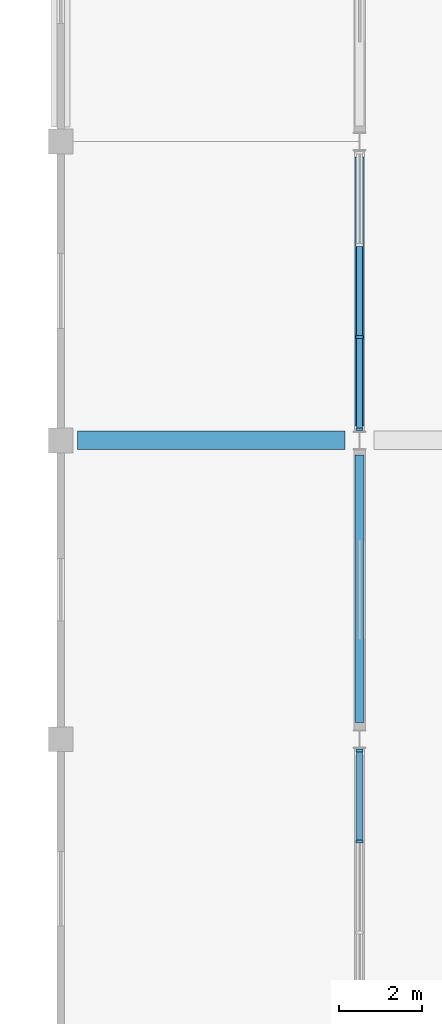
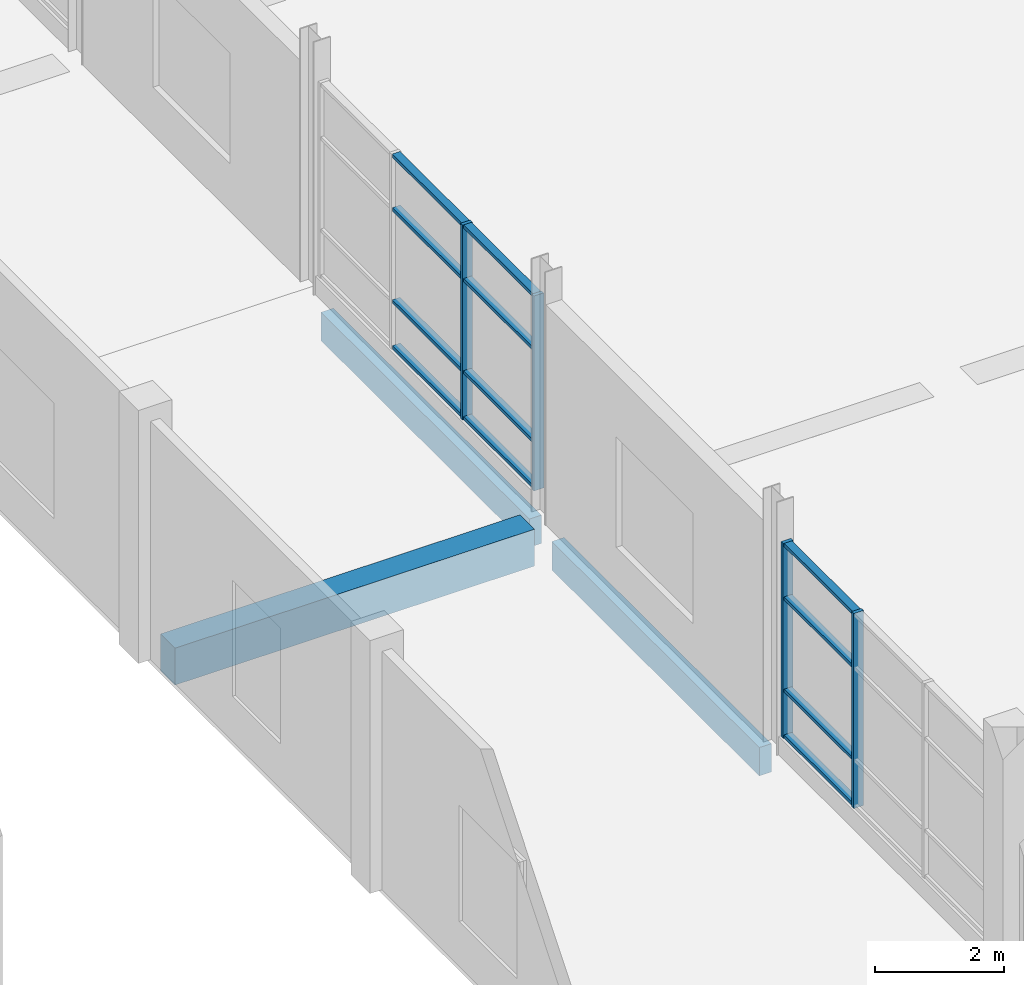
# One storey, part 24 of 82: 16 members, 3 beams, 2 elements without a shape of their own.
"""IFC4 building model written with IfcOpenShell, lengths in metres."""

from ifc_helpers import new_model, si_unit, direction, frame, origin, origin_2d, place, context, subcontext, project, spatial, rectangle, extrude, material, material_profile, profile_set, type_object, element, aggregate, save


model = new_model("IFC4")

# Units and contexts
model_context = context("Model", 3, precision=1e-05, world=origin(), true_north=direction((0.0, 1.0)))
body_context = subcontext(model_context, "Body", "Model", "MODEL_VIEW")
ifc_project = project(units=[si_unit("LENGTHUNIT", "METRE"), si_unit("AREAUNIT", "SQUARE_METRE"), si_unit("VOLUMEUNIT", "CUBIC_METRE"), si_unit("PLANEANGLEUNIT", "RADIAN"), si_unit("MASSUNIT", "GRAM", prefix="KILO")], contexts=[model_context])

# Site, building, storey
site_placement = place(None, origin())
site = spatial("IfcSite", under=ifc_project, at=site_placement, CompositionType="ELEMENT")
building_placement = place(site_placement, origin())
building = spatial("IfcBuilding", under=site, at=building_placement, Name="Sardonyx Promenade Sports Hall", CompositionType="ELEMENT")
storey_placement = place(building_placement, frame((0.0, 0.0, 11.199951171875)))
storey = spatial("IfcBuildingStorey", under=building, at=storey_placement, Name="L02", CompositionType="ELEMENT", Elevation=11.199951171875)

# Beams
ifc_material_1 = material(Name="Glulam GL28h", Category="wood")
ifc_material_profile_1 = material_profile(ifc_material_1, rectangle(XDim=0.219970703125, YDim=0.5400390625, at=origin_2d()))
ifc_profile_set_1 = profile_set([ifc_material_profile_1], Name="Glulam GL28h")
beam_type_1 = type_object("IfcBeamType", Name="Bm_Gallery_GL540", PredefinedType="BEAM", material=ifc_profile_set_1)
beam_1_placement = place(storey_placement, frame((28.800048828125, 36.39990234375, -0.510009765625), z_axis=(0.0, 1.0, 0.0), x_axis=(-1.0, 0.0, 0.0)))
element("IfcBeam", 1, at=beam_1_placement, inside=storey, type_object=beam_type_1, Name="Beam GLB2 L02 #584", PredefinedType="BEAM", context=body_context, shape_type="SweptSolid", body=[
    extrude(rectangle(XDim=0.219970703125, YDim=0.5400390625, at=origin_2d()), origin(), (0.0, 0.0, 1.0), 6.4501953125),
])
beam_2_placement = place(storey_placement, frame((28.800048828125, 43.550048828125, -0.510009765625), z_axis=(0.0, 1.0, 0.0), x_axis=(-1.0, 0.0, 0.0)))
element("IfcBeam", 2, at=beam_2_placement, inside=storey, type_object=beam_type_1, Name="Beam GLB2 L02 #585", PredefinedType="BEAM", context=body_context, shape_type="SweptSolid", body=[
    extrude(rectangle(XDim=0.219970703125, YDim=0.5400390625, at=origin_2d()), origin(), (0.0, 0.0, 1.0), 6.474853515625),
])
ifc_material_2 = material(Name="Concrete C40/50", Category="concrete")
ifc_material_profile_2 = material_profile(ifc_material_2, rectangle(XDim=0.449951171875, YDim=0.699951171875, at=origin_2d()))
ifc_profile_set_2 = profile_set([ifc_material_profile_2], Name="Concrete C40/50")
beam_type_2 = type_object("IfcBeamType", Name="Bm_Primary_RC700", PredefinedType="BEAM", material=ifc_profile_set_2)
beam_3_placement = place(storey_placement, frame((22.0, 43.199951171875, -0.349853515625), z_axis=(1.0, 0.0, 0.0), x_axis=(0.0, 1.0, 0.0)))
element("IfcBeam", 3, at=beam_3_placement, inside=storey, type_object=beam_type_2, Name="Beam BG01 L02 #516", PredefinedType="BEAM", context=body_context, shape_type="SweptSolid", body=[
    extrude(rectangle(XDim=0.449951171875, YDim=0.699951171875, at=origin_2d()), origin(), (0.0, 0.0, 1.0), 6.449951171875),
])

# Curtain wall, members
ifc_material_3 = material(Name="Aluminium 6063-T6", Category="aluminium")
curtain_wall_type = type_object("IfcCurtainWallType", Name="CW_South_L02_640", PredefinedType="USERDEFINED", material=ifc_material_3)
curtain_wall_1_placement = place(storey_placement, origin())
curtain_wall_1 = element("IfcCurtainWall", 4, at=curtain_wall_1_placement, inside=storey, type_object=curtain_wall_type, Name="Curtain wall CW01 cw:L02:153", ObjectType="CURTAIN WALL", PredefinedType="USERDEFINED")
ifc_material_4 = material(Name="Aluminium 6063-T6", Category="aluminium")
ifc_material_profile_3 = material_profile(ifc_material_4, rectangle(XDim=0.06494140625, YDim=0.175048828125, at=origin_2d()))
ifc_profile_set_3 = profile_set([ifc_material_profile_3], Name="Aluminium 6063-T6")
member_type_1 = type_object("IfcMemberType", Name="CW_Mull_175", PredefinedType="MULLION", material=ifc_profile_set_3)
member_1_placement = place(storey_placement, frame((28.800048828125, 45.69091796875, 0.35009765625), z_axis=(0.0, 0.0, 1.0), x_axis=(0.0, -1.0, 0.0)))
member_1 = element("IfcMember", 5, at=member_1_placement, type_object=member_type_1, Name="Mullion CM02 cw:L02:153 #3", PredefinedType="MULLION", context=body_context, shape_type="SweptSolid", body=[
    extrude(rectangle(XDim=0.06494140625, YDim=0.175048828125, at=origin_2d()), origin(), (0.0, 0.0, 1.0), 3.699951171875),
])
member_2_placement = place(storey_placement, frame((28.800048828125, 43.472412109375, 0.35009765625), z_axis=(0.0, 0.0, 1.0), x_axis=(0.0, -1.0, 0.0)))
member_2 = element("IfcMember", 6, at=member_2_placement, type_object=member_type_1, Name="Mullion CM02 cw:L02:153 #4", PredefinedType="MULLION", context=body_context, shape_type="SweptSolid", body=[
    extrude(rectangle(XDim=0.06494140625, YDim=0.175048828125, at=origin_2d()), origin(), (0.0, 0.0, 1.0), 3.699951171875),
])

curtain_wall_2_placement = place(storey_placement, origin())
curtain_wall_2 = element("IfcCurtainWall", 7, at=curtain_wall_2_placement, inside=storey, type_object=curtain_wall_type, Name="Curtain wall CW01 cw:L02:154", ObjectType="CURTAIN WALL", PredefinedType="USERDEFINED")
member_3_placement = place(storey_placement, frame((28.800048828125, 35.7275390625, 0.35009765625), z_axis=(0.0, 0.0, 1.0), x_axis=(0.0, -1.0, 0.0)))
member_3 = element("IfcMember", 8, at=member_3_placement, type_object=member_type_1, Name="Mullion CM02 cw:L02:154 #1", PredefinedType="MULLION", context=body_context, shape_type="SweptSolid", body=[
    extrude(rectangle(XDim=0.06494140625, YDim=0.175048828125, at=origin_2d()), origin(), (0.0, 0.0, 1.0), 3.699951171875),
])
member_4_placement = place(storey_placement, frame((28.800048828125, 33.535888671875, 0.35009765625), z_axis=(0.0, 0.0, 1.0), x_axis=(0.0, -1.0, 0.0)))
member_4 = element("IfcMember", 9, at=member_4_placement, type_object=member_type_1, Name="Mullion CM02 cw:L02:154 #2", PredefinedType="MULLION", context=body_context, shape_type="SweptSolid", body=[
    extrude(rectangle(XDim=0.06494140625, YDim=0.175048828125, at=origin_2d()), origin(), (0.0, 0.0, 1.0), 3.699951171875),
])

# Member
ifc_material_5 = material(Name="Aluminium 6063-T6", Category="aluminium")
ifc_material_profile_4 = material_profile(ifc_material_5, rectangle(XDim=0.06494140625, YDim=0.139892578125, at=origin_2d()))
ifc_profile_set_4 = profile_set([ifc_material_profile_4], Name="Aluminium 6063-T6")
member_type_2 = type_object("IfcMemberType", Name="CW_Tran_140", PredefinedType="USERDEFINED", material=ifc_profile_set_4)
member_5_placement = place(storey_placement, frame((28.800048828125, 47.876708984375, 0.382568359375), z_axis=(0.0, -1.0, 0.0), x_axis=(0.0, 0.0, 1.0)))
member_5 = element("IfcMember", 10, at=member_5_placement, type_object=member_type_2, Name="Transom CT02 cw:L02:153 #5", ObjectType="TRANSOM", PredefinedType="USERDEFINED", context=body_context, shape_type="SweptSolid", body=[
    extrude(rectangle(XDim=0.06494140625, YDim=0.139892578125, at=origin_2d()), origin(), (0.0, 0.0, 1.0), 2.1533203125),
])

member_6_placement = place(storey_placement, frame((28.800048828125, 47.876708984375, 1.25), z_axis=(0.0, -1.0, 0.0), x_axis=(0.0, 0.0, 1.0)))
member_6 = element("IfcMember", 11, at=member_6_placement, type_object=member_type_2, Name="Transom CT02 cw:L02:153 #6", ObjectType="TRANSOM", PredefinedType="USERDEFINED", context=body_context, shape_type="SweptSolid", body=[
    extrude(rectangle(XDim=0.06494140625, YDim=0.139892578125, at=origin_2d()), origin(), (0.0, 0.0, 1.0), 2.1533203125),
])

member_7_placement = place(storey_placement, frame((28.800048828125, 47.876708984375, 3.0), z_axis=(0.0, -1.0, 0.0), x_axis=(0.0, 0.0, 1.0)))
member_7 = element("IfcMember", 12, at=member_7_placement, type_object=member_type_2, Name="Transom CT02 cw:L02:153 #7", ObjectType="TRANSOM", PredefinedType="USERDEFINED", context=body_context, shape_type="SweptSolid", body=[
    extrude(rectangle(XDim=0.06494140625, YDim=0.139892578125, at=origin_2d()), origin(), (0.0, 0.0, 1.0), 2.1533203125),
])

member_8_placement = place(storey_placement, frame((28.800048828125, 47.876708984375, 4.017578125), z_axis=(0.0, -1.0, 0.0), x_axis=(0.0, 0.0, 1.0)))
member_8 = element("IfcMember", 13, at=member_8_placement, type_object=member_type_2, Name="Transom CT02 cw:L02:153 #8", ObjectType="TRANSOM", PredefinedType="USERDEFINED", context=body_context, shape_type="SweptSolid", body=[
    extrude(rectangle(XDim=0.06494140625, YDim=0.139892578125, at=origin_2d()), origin(), (0.0, 0.0, 1.0), 2.1533203125),
])

member_9_placement = place(storey_placement, frame((28.800048828125, 45.658447265625, 0.382568359375), z_axis=(0.0, -1.0, 0.0), x_axis=(0.0, 0.0, 1.0)))
member_9 = element("IfcMember", 14, at=member_9_placement, type_object=member_type_2, Name="Transom CT02 cw:L02:153 #9", ObjectType="TRANSOM", PredefinedType="USERDEFINED", context=body_context, shape_type="SweptSolid", body=[
    extrude(rectangle(XDim=0.06494140625, YDim=0.139892578125, at=origin_2d()), origin(), (0.0, 0.0, 1.0), 2.153564453125),
])

member_10_placement = place(storey_placement, frame((28.800048828125, 45.658447265625, 1.25), z_axis=(0.0, -1.0, 0.0), x_axis=(0.0, 0.0, 1.0)))
member_10 = element("IfcMember", 15, at=member_10_placement, type_object=member_type_2, Name="Transom CT02 cw:L02:153 #10", ObjectType="TRANSOM", PredefinedType="USERDEFINED", context=body_context, shape_type="SweptSolid", body=[
    extrude(rectangle(XDim=0.06494140625, YDim=0.139892578125, at=origin_2d()), origin(), (0.0, 0.0, 1.0), 2.153564453125),
])

member_11_placement = place(storey_placement, frame((28.800048828125, 45.658447265625, 3.0), z_axis=(0.0, -1.0, 0.0), x_axis=(0.0, 0.0, 1.0)))
member_11 = element("IfcMember", 16, at=member_11_placement, type_object=member_type_2, Name="Transom CT02 cw:L02:153 #11", ObjectType="TRANSOM", PredefinedType="USERDEFINED", context=body_context, shape_type="SweptSolid", body=[
    extrude(rectangle(XDim=0.06494140625, YDim=0.139892578125, at=origin_2d()), origin(), (0.0, 0.0, 1.0), 2.153564453125),
])

member_12_placement = place(storey_placement, frame((28.800048828125, 45.658447265625, 4.017578125), z_axis=(0.0, -1.0, 0.0), x_axis=(0.0, 0.0, 1.0)))
member_12 = element("IfcMember", 17, at=member_12_placement, type_object=member_type_2, Name="Transom CT02 cw:L02:153 #12", ObjectType="TRANSOM", PredefinedType="USERDEFINED", context=body_context, shape_type="SweptSolid", body=[
    extrude(rectangle(XDim=0.06494140625, YDim=0.139892578125, at=origin_2d()), origin(), (0.0, 0.0, 1.0), 2.153564453125),
])

aggregate(curtain_wall_1, [member_1, member_2, member_5, member_6, member_7, member_8, member_9, member_10, member_11, member_12])

member_13_placement = place(storey_placement, frame((28.800048828125, 35.695068359375, 0.382568359375), z_axis=(0.0, -1.0, 0.0), x_axis=(0.0, 0.0, 1.0)))
member_13 = element("IfcMember", 18, at=member_13_placement, type_object=member_type_2, Name="Transom CT02 cw:L02:154 #1", ObjectType="TRANSOM", PredefinedType="USERDEFINED", context=body_context, shape_type="SweptSolid", body=[
    extrude(rectangle(XDim=0.06494140625, YDim=0.139892578125, at=origin_2d()), origin(), (0.0, 0.0, 1.0), 2.126708984375),
])

member_14_placement = place(storey_placement, frame((28.800048828125, 35.695068359375, 1.25), z_axis=(0.0, -1.0, 0.0), x_axis=(0.0, 0.0, 1.0)))
member_14 = element("IfcMember", 19, at=member_14_placement, type_object=member_type_2, Name="Transom CT02 cw:L02:154 #2", ObjectType="TRANSOM", PredefinedType="USERDEFINED", context=body_context, shape_type="SweptSolid", body=[
    extrude(rectangle(XDim=0.06494140625, YDim=0.139892578125, at=origin_2d()), origin(), (0.0, 0.0, 1.0), 2.126708984375),
])

member_15_placement = place(storey_placement, frame((28.800048828125, 35.695068359375, 3.0), z_axis=(0.0, -1.0, 0.0), x_axis=(0.0, 0.0, 1.0)))
member_15 = element("IfcMember", 20, at=member_15_placement, type_object=member_type_2, Name="Transom CT02 cw:L02:154 #3", ObjectType="TRANSOM", PredefinedType="USERDEFINED", context=body_context, shape_type="SweptSolid", body=[
    extrude(rectangle(XDim=0.06494140625, YDim=0.139892578125, at=origin_2d()), origin(), (0.0, 0.0, 1.0), 2.126708984375),
])

member_16_placement = place(storey_placement, frame((28.800048828125, 35.695068359375, 4.017578125), z_axis=(0.0, -1.0, 0.0), x_axis=(0.0, 0.0, 1.0)))
member_16 = element("IfcMember", 21, at=member_16_placement, type_object=member_type_2, Name="Transom CT02 cw:L02:154 #4", ObjectType="TRANSOM", PredefinedType="USERDEFINED", context=body_context, shape_type="SweptSolid", body=[
    extrude(rectangle(XDim=0.06494140625, YDim=0.139892578125, at=origin_2d()), origin(), (0.0, 0.0, 1.0), 2.126708984375),
])

aggregate(curtain_wall_2, [member_3, member_4, member_13, member_14, member_15, member_16])

save(model, "model.ifc")
